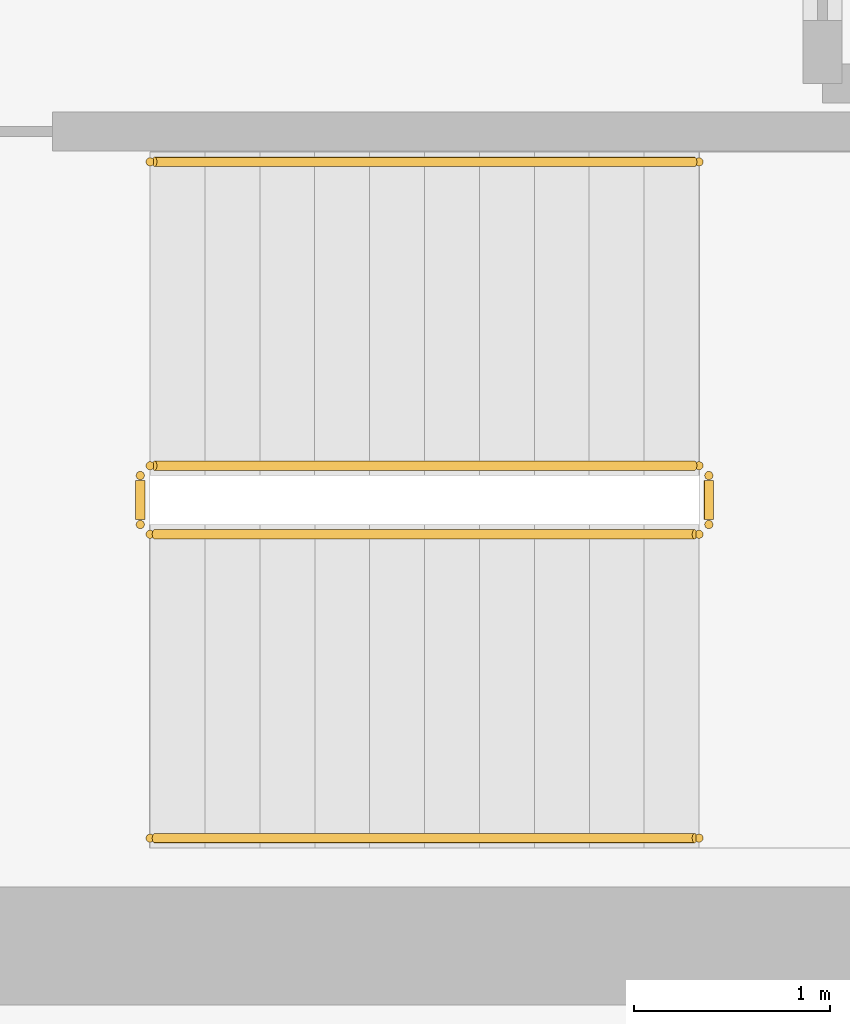
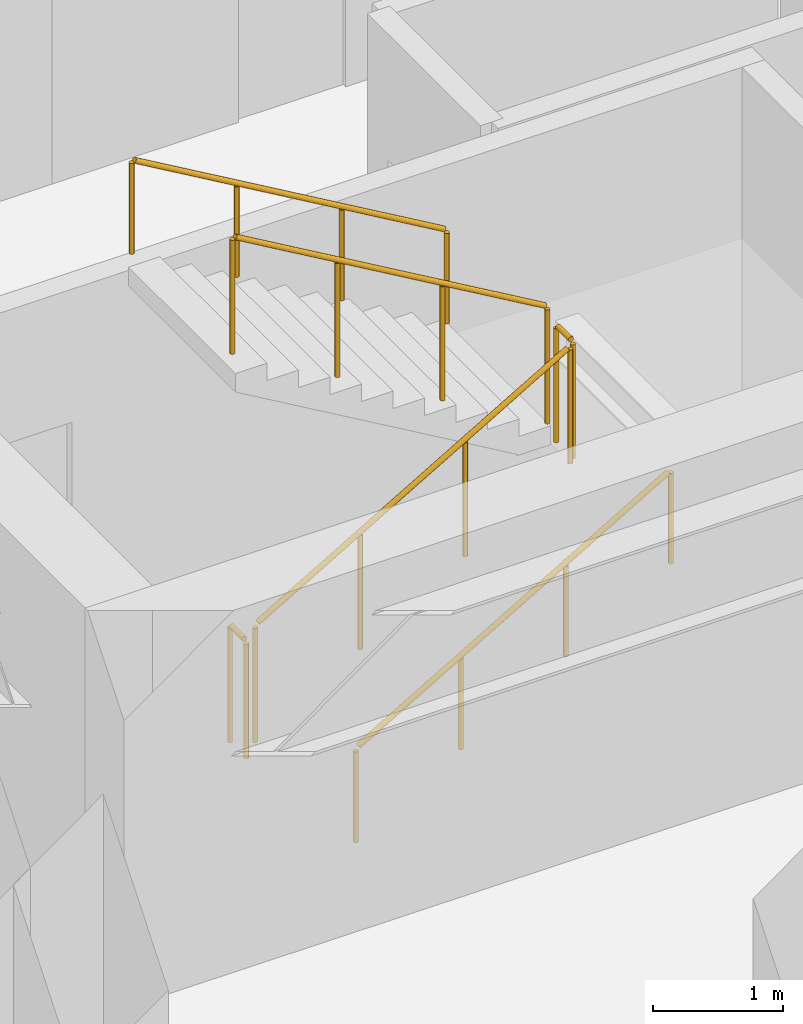
# One storey, part 11 of 11: 6 railings.
"""IFC4 building model written with IfcOpenShell, lengths in metres."""

import ifcopenshell
import ifcopenshell.guid

model = None  # the IFC model being written
_history = None  # IfcOwnerHistory: only IFC2X3 demands one
_inside = {}  # id of a spatial element -> (the spatial element, [elements in it])
_under = {}  # id of a project, library or spatial element -> (it, [spatial elements below it])
_declared = {}  # id of a project -> (the project, [libraries it declares])
_typed = {}  # id of a type object -> (the type object, [elements of that type])
_made_of = {}  # id of a material, layer set ... -> (it, [elements and type objects made of it])


def new_model(schema):
    """Start an empty IFC model of exactly this schema.

    Asked for "IFC4X3", IfcOpenShell would pick the latest addendum, in which some entities
    have other attributes; the version numbers below select the first issue.
    IFC2X3 requires an IfcOwnerHistory on every rooted entity: one is made here for all.
    """
    global model, _history
    if schema == "IFC4X3":
        model = ifcopenshell.file(schema_version=(4, 3, 0, 0))
    else:
        model = ifcopenshell.file(schema=schema)
    _inside.clear()
    _under.clear()
    _declared.clear()
    _typed.clear()
    _made_of.clear()
    _history = None
    if model.schema == "IFC2X3":
        org = make("IfcOrganization", Name="unknown")
        user = make(
            "IfcPersonAndOrganization",
            ThePerson=make("IfcPerson", FamilyName="unknown"),
            TheOrganization=org,
        )
        app = make(
            "IfcApplication",
            ApplicationDeveloper=org,
            Version="unknown",
            ApplicationFullName="unknown",
            ApplicationIdentifier="unknown",
        )
        _history = make(
            "IfcOwnerHistory",
            OwningUser=user,
            OwningApplication=app,
            ChangeAction="ADDED",
            CreationDate=0,
        )
    return model


def make(cls, **values):
    """One entity of the class cls with the attributes given. An attribute that is None is left unset."""
    return model.create_entity(
        cls, **{name: value for name, value in values.items() if value is not None}
    )


def rooted(cls, **values):
    """An entity with a GlobalId (a new one), such as an element, a storey or a relation."""
    return make(cls, GlobalId=ifcopenshell.guid.new(), OwnerHistory=_history, **values)


def si_unit(unit_type, name, prefix=None):
    """IfcSIUnit, for example si_unit("LENGTHUNIT", "METRE", prefix="MILLI")."""
    return make("IfcSIUnit", UnitType=unit_type, Prefix=prefix, Name=name)


def assignment(units):
    """IfcUnitAssignment: the units of a project."""
    return None if units is None else make("IfcUnitAssignment", Units=units)


def point(xyz):
    """IfcCartesianPoint."""
    return None if xyz is None else make("IfcCartesianPoint", Coordinates=xyz)


def direction(xyz):
    """IfcDirection."""
    return None if xyz is None else make("IfcDirection", DirectionRatios=xyz)


def frame(location, z_axis=None, x_axis=None):
    """IfcAxis2Placement3D, a coordinate frame: its origin and axes. An axis left out is left unset."""
    return make(
        "IfcAxis2Placement3D",
        Location=point(location),
        Axis=direction(z_axis),
        RefDirection=direction(x_axis),
    )


def frame_2d(location, x_axis=None):
    """IfcAxis2Placement2D, a coordinate frame in the plane: its origin and x axis."""
    return make(
        "IfcAxis2Placement2D", Location=point(location), RefDirection=direction(x_axis)
    )


def origin():
    """The frame at (0, 0, 0) with its axes left unset."""
    return frame((0.0, 0.0, 0.0))


def origin_2d():
    """The frame at (0, 0) in the plane with its x axis left unset."""
    return frame_2d((0.0, 0.0))


def place(relative_to, where):
    """IfcLocalPlacement: puts the frame where relative to a parent placement (None: the world)."""
    return make(
        "IfcLocalPlacement", PlacementRelTo=relative_to, RelativePlacement=where
    )


def context(
    kind, dimensions, precision=None, world=None, true_north=None, identifier=None
):
    """IfcGeometricRepresentationContext, for example the 3D "Model" context."""
    return make(
        "IfcGeometricRepresentationContext",
        ContextIdentifier=identifier,
        ContextType=kind,
        CoordinateSpaceDimension=dimensions,
        Precision=precision,
        WorldCoordinateSystem=world,
        TrueNorth=true_north,
    )


def subcontext(parent, identifier, kind, view, scale=None):
    """IfcGeometricRepresentationSubContext, for example "Body" below "Model"."""
    return make(
        "IfcGeometricRepresentationSubContext",
        ContextIdentifier=identifier,
        ContextType=kind,
        ParentContext=parent,
        TargetScale=scale,
        TargetView=view,
    )


def project(units=None, contexts=None):
    """IfcProject with its units and contexts."""
    return rooted(
        "IfcProject",
        Name="project",
        RepresentationContexts=contexts,
        UnitsInContext=assignment(units),
    )


def spatial(cls, under=None, at=None, **own):
    """A site, building, storey or space (cls), placed at a placement, below another one or the project."""
    s = rooted(cls, ObjectPlacement=at, **own)
    if under is not None:
        _under.setdefault(under.id(), (under, []))[1].append(s)
    return s


def profile(cls, at=None, kind="AREA", **sizes):
    """A parametric profile (cls). Its sizes go by their IFC names, for example OverallWidth=200.0."""
    return make(cls, ProfileType=kind, Position=at, **sizes)


def circle(**sizes):
    """IfcCircleProfileDef."""
    return profile("IfcCircleProfileDef", **sizes)


def extrude(swept, where, along, depth):
    """IfcExtrudedAreaSolid: the profile swept, set in the frame where, extruded along a direction by depth."""
    return make(
        "IfcExtrudedAreaSolid",
        SweptArea=swept,
        Position=where,
        ExtrudedDirection=direction(along),
        Depth=depth,
    )


def shape(context_of_items, identifier, shape_type, items):
    """IfcShapeRepresentation: the items that make up one representation, for example the "Body"."""
    return make(
        "IfcShapeRepresentation",
        ContextOfItems=context_of_items,
        RepresentationIdentifier=identifier,
        RepresentationType=shape_type,
        Items=items,
    )


def source(mapping_origin, context_of_items, identifier, shape_type, items):
    """IfcRepresentationMap: a shape defined once, which mapped items show again and again."""
    return make(
        "IfcRepresentationMap",
        MappingOrigin=mapping_origin,
        MappedRepresentation=shape(context_of_items, identifier, shape_type, items),
    )


def transform(
    local_origin,
    x_axis=None,
    y_axis=None,
    z_axis=None,
    scale=None,
    scale2=None,
    scale3=None,
    uniform=True,
):
    """IfcCartesianTransformationOperator3D, or its non-uniform kind. x_axis, y_axis, z_axis: its Axis1, 2, 3."""
    if uniform:
        return make(
            "IfcCartesianTransformationOperator3D",
            Axis1=direction(x_axis),
            Axis2=direction(y_axis),
            LocalOrigin=point(local_origin),
            Scale=scale,
            Axis3=direction(z_axis),
        )
    return make(
        "IfcCartesianTransformationOperator3DnonUniform",
        Axis1=direction(x_axis),
        Axis2=direction(y_axis),
        LocalOrigin=point(local_origin),
        Scale=scale,
        Axis3=direction(z_axis),
        Scale2=scale2,
        Scale3=scale3,
    )


def mapped(mapping_source, mapping_target):
    """IfcMappedItem: shows the shape of a source again, moved by a transform."""
    return make(
        "IfcMappedItem", MappingSource=mapping_source, MappingTarget=mapping_target
    )


def material(Name=None, Category=None):
    """IfcMaterial."""
    return make("IfcMaterial", Name=Name, Category=Category)


def layer(
    of_material, thickness, ventilated=None, Name=None, Category=None, Priority=None
):
    """IfcMaterialLayer: one layer of a wall or slab, of a material (None: an air gap)."""
    return make(
        "IfcMaterialLayer",
        Material=of_material,
        LayerThickness=thickness,
        IsVentilated=ventilated,
        Name=Name,
        Category=Category,
        Priority=Priority,
    )


def layer_set(layers, Name=None):
    """IfcMaterialLayerSet."""
    return make("IfcMaterialLayerSet", MaterialLayers=layers, LayerSetName=Name)


def made_of(thing, what):
    """Note that an element or type object is made of a material, layer set ...; save() writes the relation."""
    if what is not None:
        _made_of.setdefault(what.id(), (what, []))[1].append(thing)
    return thing


def type_object(cls, material=None, **own):
    """A type object (cls), such as IfcWallType, which elements share."""
    return made_of(rooted(cls, **own), material)


def element(
    cls,
    number,
    at=None,
    inside=None,
    cuts=None,
    type_object=None,
    material=None,
    context=None,
    identifier="Body",
    shape_type=None,
    held_by="IfcProductDefinitionShape",
    body=None,
    shapes=None,
    **own,
):
    """One element of the class cls, such as IfcWall. Its Tag is "e" and its number.

    at: its placement. inside: the storey or other place that contains it. cuts: it is an
    opening in that element (IfcRelVoidsElement). A single representation is given by context,
    identifier, shape_type and body (its items); several are given by shapes. held_by: the class
    of the entity that holds the representations. save() writes the other relations.
    """
    e = rooted(cls, Tag="e%d" % number, ObjectPlacement=at, **own)
    if body is not None:
        shapes = [shape(context, identifier, shape_type, body)]
    if shapes is not None:
        e.Representation = make(held_by, Representations=shapes)
    if inside is not None:
        _inside.setdefault(inside.id(), (inside, []))[1].append(e)
    if cuts is not None:
        rooted(
            "IfcRelVoidsElement", RelatingBuildingElement=cuts, RelatedOpeningElement=e
        )
    if type_object is not None:
        _typed.setdefault(type_object.id(), (type_object, []))[1].append(e)
    return made_of(e, material)


def aggregate(whole, parts):
    """IfcRelAggregates: a whole, such as a stair, and the parts it consists of."""
    return rooted("IfcRelAggregates", RelatingObject=whole, RelatedObjects=parts)


def save(model, path):
    """Write the relations noted so far, then the file.

    IfcRelAggregates (storeys below a building ...), IfcRelContainedInSpatialStructure (elements
    in a storey), IfcRelDefinesByType, IfcRelAssociatesMaterial and IfcRelDeclares: one each for
    every whole, place, type object, material and project.
    """
    for whole, parts in _under.values():
        aggregate(whole, parts)
    for where, things in _inside.values():
        rooted(
            "IfcRelContainedInSpatialStructure",
            RelatedElements=things,
            RelatingStructure=where,
        )
    for kind, things in _typed.values():
        rooted("IfcRelDefinesByType", RelatedObjects=things, RelatingType=kind)
    for what, things in _made_of.values():
        rooted("IfcRelAssociatesMaterial", RelatedObjects=things, RelatingMaterial=what)
    for by, libraries in _declared.values():
        rooted("IfcRelDeclares", RelatingContext=by, RelatedDefinitions=libraries)
    model.write(path)


model = new_model("IFC4")

# Units and contexts
model_context = context("Model", 3, precision=1e-05, world=origin(), true_north=direction((0.0, 1.0)))
body_context = subcontext(model_context, "Body", "Model", "MODEL_VIEW")
ifc_project = project(units=[si_unit("LENGTHUNIT", "METRE"), si_unit("AREAUNIT", "SQUARE_METRE"), si_unit("VOLUMEUNIT", "CUBIC_METRE"), si_unit("PLANEANGLEUNIT", "RADIAN"), si_unit("MASSUNIT", "GRAM", prefix="KILO")], contexts=[model_context])

# Site, building, storey
site_placement = place(None, origin())
site = spatial("IfcSite", under=ifc_project, at=site_placement, CompositionType="ELEMENT")
building_placement = place(site_placement, origin())
building = spatial("IfcBuilding", under=site, at=building_placement, Name="Kharzan Plaza Tower", CompositionType="ELEMENT")
storey_placement = place(building_placement, frame((0.0, 0.0, 150.300048828125)))
storey = spatial("IfcBuildingStorey", under=building, at=storey_placement, Name="L40", CompositionType="ELEMENT", Elevation=150.300048828125)

# Railings
ifc_material_1 = material(Name="Painted Galvanized Architectural Steel", Category="steel")
ifc_layer_1 = layer(ifc_material_1, 0.074951171875)
ifc_layer_set_1 = layer_set([ifc_layer_1], Name="Painted Galvanized Architectural Steel")
railing_type_1 = type_object("IfcRailingType", Name="RL-GUARD-1120", PredefinedType="BALUSTRADE", material=ifc_layer_set_1)
shared_shape_1 = source(origin(), body_context, "Body", "SweptSolid", [
    extrude(circle(Radius=0.02392578125, at=origin_2d()), frame((0.0, 0.0263671875, 1.09619140625), z_axis=(0.0, 1.0, 0.0), x_axis=(-1.0, 0.0, 0.0)), (0.0, 0.0, 1.0), 0.197021484375),
    extrude(circle(Radius=0.02099609375, at=origin_2d()), origin(), (0.0, 0.0, 1.0), 1.072021484375),
    extrude(circle(Radius=0.02099609375, at=origin_2d()), frame((0.0, 0.25, 0.0)), (0.0, 0.0, 1.0), 1.072021484375),
])
for number, where, name in (
    (1, (41.10009765625, 6.64990234375, 1.800048828125), "L40 ST-3 stair guard 2"),
    (2, (38.199951171875, 6.64990234375, 0.0), "L40 ST-3 stair guard 4"),
):
    element("IfcRailing", number, at=place(storey_placement, frame(where)), inside=storey, type_object=railing_type_1, Name=name, PredefinedType="BALUSTRADE", context=body_context, shape_type="MappedRepresentation", body=[
        mapped(shared_shape_1, transform((0.0, 0.0, 0.0), x_axis=(1.0, 0.0, 0.0), y_axis=(0.0, 1.0, 0.0), z_axis=(0.0, 0.0, 1.0))),
    ])
shared_shape_2 = source(origin(), body_context, "Body", "SweptSolid", [
    extrude(circle(Radius=0.02392578125, at=origin_2d()), frame((0.02294921875, 0.0, 1.109375), z_axis=(0.863360870873, 0.0, 0.504586966384), x_axis=(0.0, 1.0, 0.0)), (0.0, 0.0, 1.0), 3.190185546875),
    extrude(circle(Radius=0.02099609375, at=origin_2d()), origin(), (0.0, 0.0, 1.0), 1.072021484375),
    extrude(circle(Radius=0.02099609375, at=origin_2d()), frame((0.933349609375, 0.0, 0.54541015625)), (0.0, 0.0, 1.0), 1.072021484375),
    extrude(circle(Radius=0.02099609375, at=origin_2d()), frame((1.86669921875, 0.0, 1.091064453125)), (0.0, 0.0, 1.0), 1.072021484375),
    extrude(circle(Radius=0.02099609375, at=origin_2d()), frame((2.800048828125, 0.0, 1.636474609375)), (0.0, 0.0, 1.0), 1.072021484375),
])
railing_1_placement = place(storey_placement, frame((38.25, 6.60009765625, 0.16357421875)))
element("IfcRailing", 3, at=railing_1_placement, inside=storey, type_object=railing_type_1, Name="L40 ST-3 stair guard 1", PredefinedType="BALUSTRADE", context=body_context, shape_type="MappedRepresentation", body=[
    mapped(shared_shape_2, transform((0.0, 0.0, 0.0), x_axis=(1.0, 0.0, 0.0), y_axis=(0.0, 1.0, 0.0), z_axis=(0.0, 0.0, 1.0))),
])
ifc_material_2 = material(Name="Brushed Stainless Steel", Category="steel")
ifc_layer_2 = layer(ifc_material_2, 0.050048828125)
ifc_layer_set_2 = layer_set([ifc_layer_2], Name="Brushed Stainless Steel")
railing_type_2 = type_object("IfcRailingType", Name="RL-STAIR-HR920", PredefinedType="HANDRAIL", material=ifc_layer_set_2)
shared_shape_3 = source(origin(), body_context, "Body", "SweptSolid", [
    extrude(circle(Radius=0.02392578125, at=origin_2d()), frame((0.02294921875, 0.0, 0.88916015625), z_axis=(0.863360870873, 0.0, 0.504586966384), x_axis=(0.0, 1.0, 0.0)), (0.0, 0.0, 1.0), 3.190185546875),
    extrude(circle(Radius=0.02099609375, at=origin_2d()), origin(), (0.0, 0.0, 1.0), 0.851806640625),
    extrude(circle(Radius=0.02099609375, at=origin_2d()), frame((0.933349609375, 0.0, 0.54541015625)), (0.0, 0.0, 1.0), 0.851806640625),
    extrude(circle(Radius=0.02099609375, at=origin_2d()), frame((1.86669921875, 0.0, 1.091064453125)), (0.0, 0.0, 1.0), 0.851806640625),
    extrude(circle(Radius=0.02099609375, at=origin_2d()), frame((2.800048828125, 0.0, 1.636474609375)), (0.0, 0.0, 1.0), 0.851806640625),
])
railing_2_placement = place(storey_placement, frame((38.25, 5.050048828125, 0.16357421875)))
element("IfcRailing", 4, at=railing_2_placement, inside=storey, type_object=railing_type_2, Name="L40 ST-3 stair handrail 1", PredefinedType="HANDRAIL", context=body_context, shape_type="MappedRepresentation", body=[
    mapped(shared_shape_3, transform((0.0, 0.0, 0.0), x_axis=(1.0, 0.0, 0.0), y_axis=(0.0, 1.0, 0.0), z_axis=(0.0, 0.0, 1.0))),
])
shared_shape_4 = source(origin(), body_context, "Body", "SweptSolid", [
    extrude(circle(Radius=0.02392578125, at=origin_2d()), frame((-0.02294921875, 0.0, 1.109375), z_axis=(-0.863393664356, 0.0, 0.504530851732), x_axis=(0.0, -1.0, 0.0)), (0.0, 0.0, 1.0), 3.190185546875),
    extrude(circle(Radius=0.02099609375, at=origin_2d()), origin(), (0.0, 0.0, 1.0), 1.072021484375),
    extrude(circle(Radius=0.02099609375, at=origin_2d()), frame((-0.933349609375, 0.0, 0.54541015625)), (0.0, 0.0, 1.0), 1.072021484375),
    extrude(circle(Radius=0.02099609375, at=origin_2d()), frame((-1.86669921875, 0.0, 1.0908203125)), (0.0, 0.0, 1.0), 1.072021484375),
    extrude(circle(Radius=0.02099609375, at=origin_2d()), frame((-2.800048828125, 0.0, 1.63623046875)), (0.0, 0.0, 1.0), 1.072021484375),
])
railing_3_placement = place(storey_placement, frame((41.050048828125, 6.949951171875, 1.963623046875)))
element("IfcRailing", 5, at=railing_3_placement, inside=storey, type_object=railing_type_1, Name="L40 ST-3 stair guard 3", PredefinedType="BALUSTRADE", context=body_context, shape_type="MappedRepresentation", body=[
    mapped(shared_shape_4, transform((0.0, 0.0, 0.0), x_axis=(1.0, 0.0, 0.0), y_axis=(0.0, 1.0, 0.0), z_axis=(0.0, 0.0, 1.0))),
])
shared_shape_5 = source(origin(), body_context, "Body", "SweptSolid", [
    extrude(circle(Radius=0.02392578125, at=origin_2d()), frame((-0.02294921875, 0.0, 0.88916015625), z_axis=(-0.863393664356, 0.0, 0.504530851732), x_axis=(0.0, -1.0, 0.0)), (0.0, 0.0, 1.0), 3.190185546875),
    extrude(circle(Radius=0.02099609375, at=origin_2d()), origin(), (0.0, 0.0, 1.0), 0.851806640625),
    extrude(circle(Radius=0.02099609375, at=origin_2d()), frame((-0.933349609375, 0.0, 0.54541015625)), (0.0, 0.0, 1.0), 0.851806640625),
    extrude(circle(Radius=0.02099609375, at=origin_2d()), frame((-1.86669921875, 0.0, 1.0908203125)), (0.0, 0.0, 1.0), 0.851806640625),
    extrude(circle(Radius=0.02099609375, at=origin_2d()), frame((-2.800048828125, 0.0, 1.63623046875)), (0.0, 0.0, 1.0), 0.851806640625),
])
railing_4_placement = place(storey_placement, frame((41.050048828125, 8.5, 1.963623046875)))
element("IfcRailing", 6, at=railing_4_placement, inside=storey, type_object=railing_type_2, Name="L40 ST-3 stair handrail 2", PredefinedType="HANDRAIL", context=body_context, shape_type="MappedRepresentation", body=[
    mapped(shared_shape_5, transform((0.0, 0.0, 0.0), x_axis=(1.0, 0.0, 0.0), y_axis=(0.0, 1.0, 0.0), z_axis=(0.0, 0.0, 1.0))),
])

save(model, "model.ifc")
